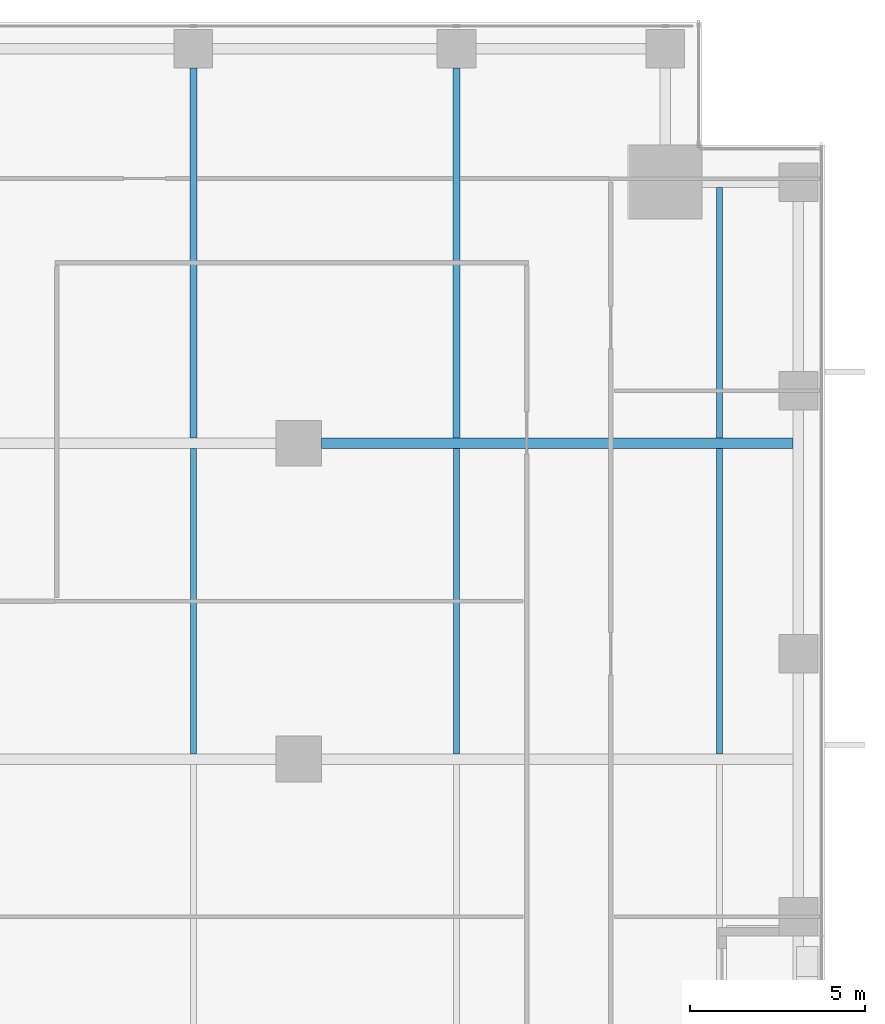
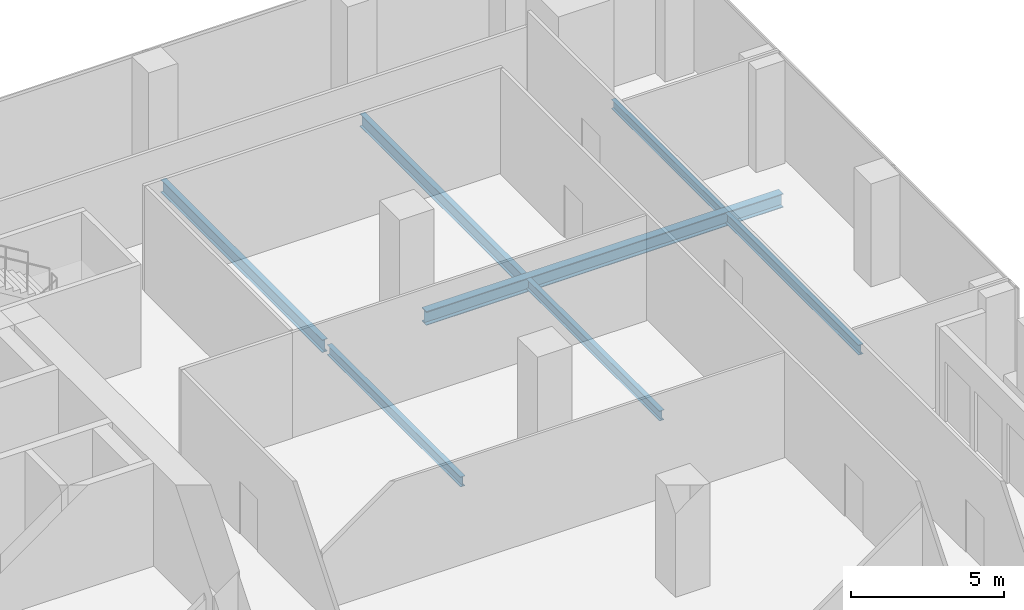
# One storey, part 18 of 34: 7 beams.
"""IFC4 building model written with IfcOpenShell, lengths in metres."""

import ifcopenshell
import ifcopenshell.guid

model = None  # the IFC model being written
_history = None  # IfcOwnerHistory: only IFC2X3 demands one
_inside = {}  # id of a spatial element -> (the spatial element, [elements in it])
_under = {}  # id of a project, library or spatial element -> (it, [spatial elements below it])
_declared = {}  # id of a project -> (the project, [libraries it declares])
_typed = {}  # id of a type object -> (the type object, [elements of that type])
_made_of = {}  # id of a material, layer set ... -> (it, [elements and type objects made of it])


def new_model(schema):
    """Start an empty IFC model of exactly this schema.

    Asked for "IFC4X3", IfcOpenShell would pick the latest addendum, in which some entities
    have other attributes; the version numbers below select the first issue.
    IFC2X3 requires an IfcOwnerHistory on every rooted entity: one is made here for all.
    """
    global model, _history
    if schema == "IFC4X3":
        model = ifcopenshell.file(schema_version=(4, 3, 0, 0))
    else:
        model = ifcopenshell.file(schema=schema)
    _inside.clear()
    _under.clear()
    _declared.clear()
    _typed.clear()
    _made_of.clear()
    _history = None
    if model.schema == "IFC2X3":
        org = make("IfcOrganization", Name="unknown")
        user = make(
            "IfcPersonAndOrganization",
            ThePerson=make("IfcPerson", FamilyName="unknown"),
            TheOrganization=org,
        )
        app = make(
            "IfcApplication",
            ApplicationDeveloper=org,
            Version="unknown",
            ApplicationFullName="unknown",
            ApplicationIdentifier="unknown",
        )
        _history = make(
            "IfcOwnerHistory",
            OwningUser=user,
            OwningApplication=app,
            ChangeAction="ADDED",
            CreationDate=0,
        )
    return model


def make(cls, **values):
    """One entity of the class cls with the attributes given. An attribute that is None is left unset."""
    return model.create_entity(
        cls, **{name: value for name, value in values.items() if value is not None}
    )


def rooted(cls, **values):
    """An entity with a GlobalId (a new one), such as an element, a storey or a relation."""
    return make(cls, GlobalId=ifcopenshell.guid.new(), OwnerHistory=_history, **values)


def si_unit(unit_type, name, prefix=None):
    """IfcSIUnit, for example si_unit("LENGTHUNIT", "METRE", prefix="MILLI")."""
    return make("IfcSIUnit", UnitType=unit_type, Prefix=prefix, Name=name)


def assignment(units):
    """IfcUnitAssignment: the units of a project."""
    return None if units is None else make("IfcUnitAssignment", Units=units)


def point(xyz):
    """IfcCartesianPoint."""
    return None if xyz is None else make("IfcCartesianPoint", Coordinates=xyz)


def direction(xyz):
    """IfcDirection."""
    return None if xyz is None else make("IfcDirection", DirectionRatios=xyz)


def frame(location, z_axis=None, x_axis=None):
    """IfcAxis2Placement3D, a coordinate frame: its origin and axes. An axis left out is left unset."""
    return make(
        "IfcAxis2Placement3D",
        Location=point(location),
        Axis=direction(z_axis),
        RefDirection=direction(x_axis),
    )


def frame_2d(location, x_axis=None):
    """IfcAxis2Placement2D, a coordinate frame in the plane: its origin and x axis."""
    return make(
        "IfcAxis2Placement2D", Location=point(location), RefDirection=direction(x_axis)
    )


def origin():
    """The frame at (0, 0, 0) with its axes left unset."""
    return frame((0.0, 0.0, 0.0))


def origin_2d():
    """The frame at (0, 0) in the plane with its x axis left unset."""
    return frame_2d((0.0, 0.0))


def place(relative_to, where):
    """IfcLocalPlacement: puts the frame where relative to a parent placement (None: the world)."""
    return make(
        "IfcLocalPlacement", PlacementRelTo=relative_to, RelativePlacement=where
    )


def context(
    kind, dimensions, precision=None, world=None, true_north=None, identifier=None
):
    """IfcGeometricRepresentationContext, for example the 3D "Model" context."""
    return make(
        "IfcGeometricRepresentationContext",
        ContextIdentifier=identifier,
        ContextType=kind,
        CoordinateSpaceDimension=dimensions,
        Precision=precision,
        WorldCoordinateSystem=world,
        TrueNorth=true_north,
    )


def subcontext(parent, identifier, kind, view, scale=None):
    """IfcGeometricRepresentationSubContext, for example "Body" below "Model"."""
    return make(
        "IfcGeometricRepresentationSubContext",
        ContextIdentifier=identifier,
        ContextType=kind,
        ParentContext=parent,
        TargetScale=scale,
        TargetView=view,
    )


def project(units=None, contexts=None):
    """IfcProject with its units and contexts."""
    return rooted(
        "IfcProject",
        Name="project",
        RepresentationContexts=contexts,
        UnitsInContext=assignment(units),
    )


def spatial(cls, under=None, at=None, **own):
    """A site, building, storey or space (cls), placed at a placement, below another one or the project."""
    s = rooted(cls, ObjectPlacement=at, **own)
    if under is not None:
        _under.setdefault(under.id(), (under, []))[1].append(s)
    return s


def profile(cls, at=None, kind="AREA", **sizes):
    """A parametric profile (cls). Its sizes go by their IFC names, for example OverallWidth=200.0."""
    return make(cls, ProfileType=kind, Position=at, **sizes)


def i_section(**sizes):
    """IfcIShapeProfileDef."""
    return profile("IfcIShapeProfileDef", **sizes)


def extrude(swept, where, along, depth):
    """IfcExtrudedAreaSolid: the profile swept, set in the frame where, extruded along a direction by depth."""
    return make(
        "IfcExtrudedAreaSolid",
        SweptArea=swept,
        Position=where,
        ExtrudedDirection=direction(along),
        Depth=depth,
    )


def shape(context_of_items, identifier, shape_type, items):
    """IfcShapeRepresentation: the items that make up one representation, for example the "Body"."""
    return make(
        "IfcShapeRepresentation",
        ContextOfItems=context_of_items,
        RepresentationIdentifier=identifier,
        RepresentationType=shape_type,
        Items=items,
    )


def source(mapping_origin, context_of_items, identifier, shape_type, items):
    """IfcRepresentationMap: a shape defined once, which mapped items show again and again."""
    return make(
        "IfcRepresentationMap",
        MappingOrigin=mapping_origin,
        MappedRepresentation=shape(context_of_items, identifier, shape_type, items),
    )


def transform(
    local_origin,
    x_axis=None,
    y_axis=None,
    z_axis=None,
    scale=None,
    scale2=None,
    scale3=None,
    uniform=True,
):
    """IfcCartesianTransformationOperator3D, or its non-uniform kind. x_axis, y_axis, z_axis: its Axis1, 2, 3."""
    if uniform:
        return make(
            "IfcCartesianTransformationOperator3D",
            Axis1=direction(x_axis),
            Axis2=direction(y_axis),
            LocalOrigin=point(local_origin),
            Scale=scale,
            Axis3=direction(z_axis),
        )
    return make(
        "IfcCartesianTransformationOperator3DnonUniform",
        Axis1=direction(x_axis),
        Axis2=direction(y_axis),
        LocalOrigin=point(local_origin),
        Scale=scale,
        Axis3=direction(z_axis),
        Scale2=scale2,
        Scale3=scale3,
    )


def mapped(mapping_source, mapping_target):
    """IfcMappedItem: shows the shape of a source again, moved by a transform."""
    return make(
        "IfcMappedItem", MappingSource=mapping_source, MappingTarget=mapping_target
    )


def material(Name=None, Category=None):
    """IfcMaterial."""
    return make("IfcMaterial", Name=Name, Category=Category)


def material_profile(
    of_material, cross_section, Name=None, Category=None, Priority=None
):
    """IfcMaterialProfile: a cross section and its material."""
    return make(
        "IfcMaterialProfile",
        Name=Name,
        Material=of_material,
        Profile=cross_section,
        Priority=Priority,
        Category=Category,
    )


def profile_set(profiles, Name=None, composite=None):
    """IfcMaterialProfileSet."""
    return make(
        "IfcMaterialProfileSet",
        Name=Name,
        MaterialProfiles=profiles,
        CompositeProfile=composite,
    )


def made_of(thing, what):
    """Note that an element or type object is made of a material, layer set ...; save() writes the relation."""
    if what is not None:
        _made_of.setdefault(what.id(), (what, []))[1].append(thing)
    return thing


def type_object(cls, material=None, **own):
    """A type object (cls), such as IfcWallType, which elements share."""
    return made_of(rooted(cls, **own), material)


def element(
    cls,
    number,
    at=None,
    inside=None,
    cuts=None,
    type_object=None,
    material=None,
    context=None,
    identifier="Body",
    shape_type=None,
    held_by="IfcProductDefinitionShape",
    body=None,
    shapes=None,
    **own,
):
    """One element of the class cls, such as IfcWall. Its Tag is "e" and its number.

    at: its placement. inside: the storey or other place that contains it. cuts: it is an
    opening in that element (IfcRelVoidsElement). A single representation is given by context,
    identifier, shape_type and body (its items); several are given by shapes. held_by: the class
    of the entity that holds the representations. save() writes the other relations.
    """
    e = rooted(cls, Tag="e%d" % number, ObjectPlacement=at, **own)
    if body is not None:
        shapes = [shape(context, identifier, shape_type, body)]
    if shapes is not None:
        e.Representation = make(held_by, Representations=shapes)
    if inside is not None:
        _inside.setdefault(inside.id(), (inside, []))[1].append(e)
    if cuts is not None:
        rooted(
            "IfcRelVoidsElement", RelatingBuildingElement=cuts, RelatedOpeningElement=e
        )
    if type_object is not None:
        _typed.setdefault(type_object.id(), (type_object, []))[1].append(e)
    return made_of(e, material)


def aggregate(whole, parts):
    """IfcRelAggregates: a whole, such as a stair, and the parts it consists of."""
    return rooted("IfcRelAggregates", RelatingObject=whole, RelatedObjects=parts)


def save(model, path):
    """Write the relations noted so far, then the file.

    IfcRelAggregates (storeys below a building ...), IfcRelContainedInSpatialStructure (elements
    in a storey), IfcRelDefinesByType, IfcRelAssociatesMaterial and IfcRelDeclares: one each for
    every whole, place, type object, material and project.
    """
    for whole, parts in _under.values():
        aggregate(whole, parts)
    for where, things in _inside.values():
        rooted(
            "IfcRelContainedInSpatialStructure",
            RelatedElements=things,
            RelatingStructure=where,
        )
    for kind, things in _typed.values():
        rooted("IfcRelDefinesByType", RelatedObjects=things, RelatingType=kind)
    for what, things in _made_of.values():
        rooted("IfcRelAssociatesMaterial", RelatedObjects=things, RelatingMaterial=what)
    for by, libraries in _declared.values():
        rooted("IfcRelDeclares", RelatingContext=by, RelatedDefinitions=libraries)
    model.write(path)


model = new_model("IFC4")

# Units and contexts
model_context = context("Model", 3, precision=1e-05, world=origin(), true_north=direction((0.0, 1.0)))
body_context = subcontext(model_context, "Body", "Model", "MODEL_VIEW")
ifc_project = project(units=[si_unit("LENGTHUNIT", "METRE"), si_unit("AREAUNIT", "SQUARE_METRE"), si_unit("VOLUMEUNIT", "CUBIC_METRE"), si_unit("PLANEANGLEUNIT", "RADIAN"), si_unit("MASSUNIT", "GRAM", prefix="KILO")], contexts=[model_context])

# Site, building, storey
site_placement = place(None, origin())
site = spatial("IfcSite", under=ifc_project, at=site_placement, CompositionType="ELEMENT")
building_placement = place(site_placement, origin())
building = spatial("IfcBuilding", under=site, at=building_placement, Name="Khomas Fold Tower", CompositionType="ELEMENT")
storey_placement = place(building_placement, frame((0.0, 0.0, 105.89990234375)))
storey = spatial("IfcBuildingStorey", under=building, at=storey_placement, Name="L22", CompositionType="ELEMENT", Elevation=105.89990234375)

# Beams
ifc_material_1 = material(Name="Steel S355", Category="steel")
ifc_material_profile_1 = material_profile(ifc_material_1, i_section(OverallWidth=0.179931640625, OverallDepth=0.39990234375, WebThickness=0.008544921875, FlangeThickness=0.013427734375, at=origin_2d()), Name="IPE 400")
ifc_profile_set_1 = profile_set([ifc_material_profile_1], Name="Steel S355")
beam_type_1 = type_object("IfcBeamType", Name="IPE 400 beam JB3", PredefinedType="BEAM", material=ifc_profile_set_1)
shared_shape_1 = source(origin(), body_context, "Body", "SweptSolid", [
    extrude(i_section(OverallWidth=0.179931640625, OverallDepth=0.39990234375, WebThickness=0.008544921875, FlangeThickness=0.013427734375, at=origin_2d()), origin(), (0.0, 0.0, 1.0), 8.7001953125),
])
for number, where, z_axis, x_axis, name in (
    (1, (34.5, 31.64990234375, -0.5), (0.0, 1.0, 0.0), (-1.0, 0.0, 0.0), "JB3"),
    (2, (42.0, 31.64990234375, -0.5), (0.0, 1.0, 0.0), (-1.0, 0.0, 0.0), "JB3"),
    (3, (49.5, 31.64990234375, -0.5), (0.0, 1.0, 0.0), (-1.0, 0.0, 0.0), "JB3"),
):
    element("IfcBeam", number, at=place(storey_placement, frame(where, z_axis=z_axis, x_axis=x_axis)), inside=storey, type_object=beam_type_1, Name=name, PredefinedType="BEAM", context=body_context, shape_type="MappedRepresentation", body=[
        mapped(shared_shape_1, transform((0.0, 0.0, 0.0))),
    ])
ifc_material_2 = material(Name="Steel S355", Category="steel")
ifc_material_profile_2 = material_profile(ifc_material_2, i_section(OverallWidth=0.169921875, OverallDepth=0.360107421875, WebThickness=0.008056640625, FlangeThickness=0.0126953125, at=origin_2d()), Name="IPE 360")
ifc_profile_set_2 = profile_set([ifc_material_profile_2], Name="Steel S355")
beam_type_2 = type_object("IfcBeamType", Name="IPE 360 beam JB2", PredefinedType="BEAM", material=ifc_profile_set_2)
shared_shape_2 = source(origin(), body_context, "Body", "SweptSolid", [
    extrude(i_section(OverallWidth=0.169921875, OverallDepth=0.360107421875, WebThickness=0.008056640625, FlangeThickness=0.0126953125, at=origin_2d()), origin(), (0.0, 0.0, 1.0), 7.150146484375),
])
beam_1_placement = place(storey_placement, frame((49.5, 40.64990234375, -0.47998046875), z_axis=(0.0, 1.0, 0.0), x_axis=(-1.0, 0.0, 0.0)))
element("IfcBeam", 4, at=beam_1_placement, inside=storey, type_object=beam_type_2, Name="JB2", PredefinedType="BEAM", context=body_context, shape_type="MappedRepresentation", body=[
    mapped(shared_shape_2, transform((0.0, 0.0, 0.0))),
])
ifc_material_3 = material(Name="Steel S355", Category="steel")
ifc_material_profile_3 = material_profile(ifc_material_3, i_section(OverallWidth=0.300048828125, OverallDepth=0.550048828125, WebThickness=0.014892578125, FlangeThickness=0.029052734375, at=origin_2d()), Name="HE 550 B")
ifc_profile_set_3 = profile_set([ifc_material_profile_3], Name="Steel S355")
beam_type_3 = type_object("IfcBeamType", Name="HE 550 B beam GB4", PredefinedType="BEAM", material=ifc_profile_set_3)
shared_shape_3 = source(origin(), body_context, "Body", "SweptSolid", [
    extrude(i_section(OverallWidth=0.300048828125, OverallDepth=0.550048828125, WebThickness=0.014892578125, FlangeThickness=0.029052734375, at=origin_2d()), origin(), (0.0, 0.0, 1.0), 13.4501953125),
])
beam_2_placement = place(storey_placement, frame((38.14990234375, 40.5, -0.574951171875), z_axis=(1.0, 0.0, 0.0), x_axis=(0.0, 1.0, 0.0)))
element("IfcBeam", 5, at=beam_2_placement, inside=storey, type_object=beam_type_3, Name="GB4", PredefinedType="BEAM", context=body_context, shape_type="MappedRepresentation", body=[
    mapped(shared_shape_3, transform((0.0, 0.0, 0.0))),
])
ifc_material_4 = material(Name="Steel S355", Category="steel")
ifc_material_profile_4 = material_profile(ifc_material_4, i_section(OverallWidth=0.199951171875, OverallDepth=0.5, WebThickness=0.01025390625, FlangeThickness=0.01611328125, at=origin_2d()), Name="IPE 500")
ifc_profile_set_4 = profile_set([ifc_material_profile_4], Name="Steel S355")
beam_type_4 = type_object("IfcBeamType", Name="IPE 500 beam JB5", PredefinedType="BEAM", material=ifc_profile_set_4)
shared_shape_4 = source(origin(), body_context, "Body", "SweptSolid", [
    extrude(i_section(OverallWidth=0.199951171875, OverallDepth=0.5, WebThickness=0.01025390625, FlangeThickness=0.01611328125, at=origin_2d()), origin(), (0.0, 0.0, 1.0), 10.550048828125),
])
for number, where, z_axis, x_axis, name in (
    (6, (34.5, 40.64990234375, -0.5498046875), (0.0, 1.0, 0.0), (-1.0, 0.0, 0.0), "JB5"),
    (7, (42.0, 40.64990234375, -0.5498046875), (0.0, 1.0, 0.0), (-1.0, 0.0, 0.0), "JB5"),
):
    element("IfcBeam", number, at=place(storey_placement, frame(where, z_axis=z_axis, x_axis=x_axis)), inside=storey, type_object=beam_type_4, Name=name, PredefinedType="BEAM", context=body_context, shape_type="MappedRepresentation", body=[
        mapped(shared_shape_4, transform((0.0, 0.0, 0.0))),
    ])

save(model, "model.ifc")
